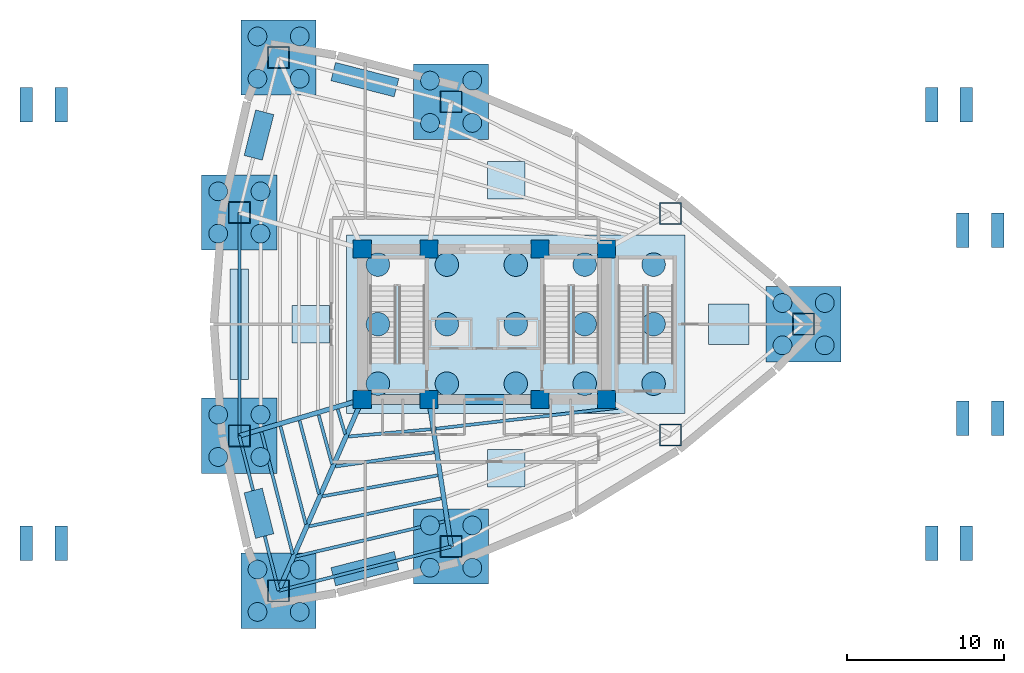
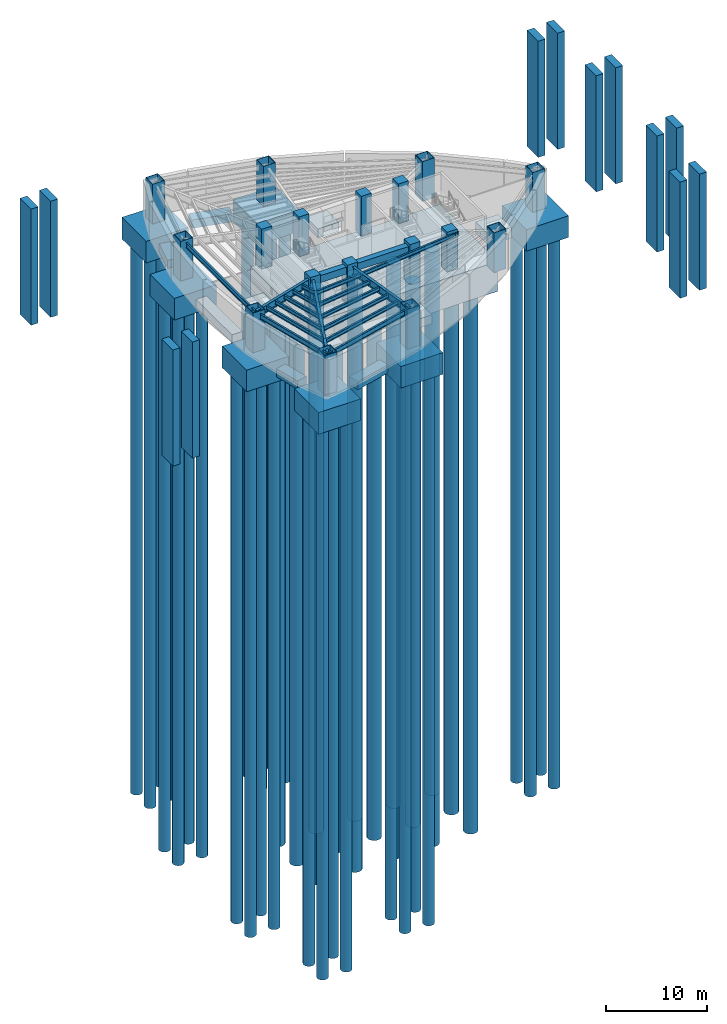
# One storey, part 1 of 7: 43 piles, 29 footings, 19 beams, 17 columns.
"""IFC4 building model written with IfcOpenShell, lengths in metres."""

from ifc_helpers import new_model, si_unit, direction, frame, origin, origin_2d, place, context, subcontext, project, spatial, polyline, rectangle, hollow_rectangle, circle, i_section, outline, extrude, material, layer, layer_set, material_profile, profile_set, type_object, element, save


model = new_model("IFC4")

# Units and contexts
model_context = context("Model", 3, precision=1e-05, world=origin(), true_north=direction((0.0, 1.0)))
body_context = subcontext(model_context, "Body", "Model", "MODEL_VIEW")
ifc_project = project(units=[si_unit("LENGTHUNIT", "METRE"), si_unit("AREAUNIT", "SQUARE_METRE"), si_unit("VOLUMEUNIT", "CUBIC_METRE"), si_unit("PLANEANGLEUNIT", "RADIAN"), si_unit("MASSUNIT", "GRAM", prefix="KILO")], contexts=[model_context])

# Site, building, storey
site_placement = place(None, origin())
site = spatial("IfcSite", under=ifc_project, at=site_placement, CompositionType="ELEMENT")
building_placement = place(site_placement, origin())
building = spatial("IfcBuilding", under=site, at=building_placement, Name="Menara Vayukalpa", CompositionType="ELEMENT")
storey_placement = place(building_placement, frame((0.0, 0.0, -9.60009765625)))
storey = spatial("IfcBuildingStorey", under=building, at=storey_placement, Name="B02", CompositionType="ELEMENT", Elevation=-9.60009765625)

# Footings
ifc_material_1 = material(Name="Concrete C40/50", Category="concrete")
ifc_layer_1 = layer(ifc_material_1, 1.300048828125)
ifc_layer_set_1 = layer_set([ifc_layer_1], Name="Concrete C40/50")
footing_type_1 = type_object("IfcFootingType", Name="FTG-PAD1", PredefinedType="PAD_FOOTING", material=ifc_layer_set_1)
footing_1_placement = place(storey_placement, frame((41.199951171875, 22.0, -1.75), z_axis=(0.0, 0.0, 1.0), x_axis=(1.0, 0.0, 0.0)))
element("IfcFooting", 1, at=footing_1_placement, inside=storey, type_object=footing_type_1, Name="Podium Pad Footing PF-01", PredefinedType="PAD_FOOTING", context=body_context, shape_type="SweptSolid", body=[
    extrude(rectangle(XDim=2.60009765625, YDim=2.60009765625, at=origin_2d()), origin(), (0.0, 0.0, 1.0), 1.300048828125),
])
ifc_material_2 = material(Name="Concrete C40/50", Category="concrete")
ifc_layer_2 = layer(ifc_material_2, 1.10009765625)
ifc_layer_set_2 = layer_set([ifc_layer_2], Name="Concrete C40/50")
footing_type_2 = type_object("IfcFootingType", Name="FTG-PAD2", PredefinedType="PAD_FOOTING", material=ifc_layer_set_2)
for number, where, z_axis, x_axis, name in (
    (2, (27.0, 31.199951171875, -1.550048828125), (0.0, 0.0, 1.0), (1.0, 0.0, 0.0), "Podium Pad Footing PF-02"),
    (3, (27.0, 12.800048828125, -1.550048828125), (0.0, 0.0, 1.0), (1.0, 0.0, 0.0), "Podium Pad Footing PF-03"),
    (4, (14.5, 22.0, -1.550048828125), (0.0, 0.0, 1.0), (1.0, 0.0, 0.0), "Podium Pad Footing PF-04"),
):
    element("IfcFooting", number, at=place(storey_placement, frame(where, z_axis=z_axis, x_axis=x_axis)), inside=storey, type_object=footing_type_2, Name=name, PredefinedType="PAD_FOOTING", context=body_context, shape_type="SweptSolid", body=[
        extrude(rectangle(XDim=2.39990234375, YDim=2.39990234375, at=origin_2d()), origin(), (0.0, 0.0, 1.0), 1.10009765625),
    ])
ifc_material_3 = material(Name="Concrete C50/60", Category="concrete")
ifc_layer_3 = layer(ifc_material_3, 3.60009765625)
ifc_layer_set_3 = layer_set([ifc_layer_3], Name="Concrete C50/60")
footing_type_3 = type_object("IfcFootingType", Name="FTG-PC-CORE", PredefinedType="PILE_CAP", material=ifc_layer_set_3)
footing_2_placement = place(storey_placement, frame((27.60009765625, 22.0, -4.050048828125), z_axis=(0.0, 0.0, 1.0), x_axis=(1.0, 0.0, 0.0)))
element("IfcFooting", 5, at=footing_2_placement, inside=storey, type_object=footing_type_3, Name="Central Core Piled Raft Cap PC1", PredefinedType="PILE_CAP", context=body_context, shape_type="SweptSolid", body=[
    extrude(rectangle(XDim=21.60009765625, YDim=11.39990234375, at=origin_2d()), origin(), (0.0, 0.0, 1.0), 3.60009765625),
])
ifc_material_4 = material(Name="Concrete C50/60", Category="concrete")
ifc_layer_4 = layer(ifc_material_4, 2.60009765625)
ifc_layer_set_4 = layer_set([ifc_layer_4], Name="Concrete C50/60")
footing_type_4 = type_object("IfcFootingType", Name="FTG-PC2", PredefinedType="PILE_CAP", material=ifc_layer_set_4)
for number, where, z_axis, x_axis, name in (
    (6, (45.979248046875, 22.0, -3.050048828125), (0.0, 0.0, 1.0), (1.0, 0.0, 0.0), "Mega Column Pile Cap PC2-01"),
    (7, (23.4755859375, 36.19970703125, -3.050048828125), (0.0, 0.0, 1.0), (1.0, 0.0, 0.0), "Mega Column Pile Cap PC2-03"),
    (8, (12.46044921875, 39.01904296875, -3.050048828125), (0.0, 0.0, 1.0), (1.0, 0.0, 0.0), "Mega Column Pile Cap PC2-04"),
    (9, (9.951904296875, 29.12890625, -3.050048828125), (0.0, 0.0, 1.0), (1.0, 0.0, 0.0), "Mega Column Pile Cap PC2-05"),
    (10, (9.951904296875, 14.87109375, -3.050048828125), (0.0, 0.0, 1.0), (1.0, 0.0, 0.0), "Mega Column Pile Cap PC2-06"),
    (11, (12.46044921875, 4.98095703125, -3.050048828125), (0.0, 0.0, 1.0), (1.0, 0.0, 0.0), "Mega Column Pile Cap PC2-07"),
    (12, (23.4755859375, 7.80029296875, -3.050048828125), (0.0, 0.0, 1.0), (1.0, 0.0, 0.0), "Mega Column Pile Cap PC2-08"),
):
    element("IfcFooting", number, at=place(storey_placement, frame(where, z_axis=z_axis, x_axis=x_axis)), inside=storey, type_object=footing_type_4, Name=name, PredefinedType="PILE_CAP", context=body_context, shape_type="SweptSolid", body=[
        extrude(rectangle(XDim=4.800048828125, YDim=4.800048828125, at=origin_2d()), origin(), (0.0, 0.0, 1.0), 2.60009765625),
    ])
ifc_material_5 = material(Name="Concrete C40/50", Category="concrete")
ifc_layer_5 = layer(ifc_material_5, 14.0)
ifc_layer_set_5 = layer_set([ifc_layer_5], Name="Concrete C40/50")
footing_type_5 = type_object("IfcFootingType", Name="FTG-RMP1", PredefinedType="PAD_FOOTING", material=ifc_layer_set_5)
for number, where, z_axis, x_axis, name in (
    (13, (-3.64990234375, 8.0, -4.579833984375), (0.0, 0.0, 1.0), (1.0, 0.0, 0.0), "Plaza Ramp Abutment Pier Footing 01A"),
    (14, (-1.429931640625, 8.0, -4.39990234375), (0.0, 0.0, 1.0), (1.0, 0.0, 0.0), "Plaza Ramp Abutment Pier Footing 01B"),
    (15, (-3.64990234375, 36.0, -4.579833984375), (0.0, 0.0, 1.0), (1.0, 0.0, 0.0), "Plaza Ramp Abutment Pier Footing 02A"),
    (16, (-1.429931640625, 36.0, -4.39990234375), (0.0, 0.0, 1.0), (1.0, 0.0, 0.0), "Plaza Ramp Abutment Pier Footing 02B"),
    (17, (54.14990234375, 8.0, -4.579833984375), (0.0, 0.0, 1.0), (1.0, 0.0, 0.0), "Plaza Ramp Abutment Pier Footing 03A"),
    (18, (56.3701171875, 8.0, -4.39990234375), (0.0, 0.0, 1.0), (1.0, 0.0, 0.0), "Plaza Ramp Abutment Pier Footing 03B"),
    (19, (54.14990234375, 36.0, -4.579833984375), (0.0, 0.0, 1.0), (1.0, 0.0, 0.0), "Plaza Ramp Abutment Pier Footing 04A"),
    (20, (56.3701171875, 36.0, -4.39990234375), (0.0, 0.0, 1.0), (1.0, 0.0, 0.0), "Plaza Ramp Abutment Pier Footing 04B"),
    (21, (56.14990234375, 16.0, -4.579833984375), (0.0, 0.0, 1.0), (1.0, 0.0, 0.0), "Plaza Ramp Abutment Pier Footing 05A"),
    (22, (58.3701171875, 16.0, -4.39990234375), (0.0, 0.0, 1.0), (1.0, 0.0, 0.0), "Plaza Ramp Abutment Pier Footing 05B"),
    (23, (56.14990234375, 28.0, -4.579833984375), (0.0, 0.0, 1.0), (1.0, 0.0, 0.0), "Plaza Ramp Abutment Pier Footing 06A"),
    (24, (58.3701171875, 28.0, -4.39990234375), (0.0, 0.0, 1.0), (1.0, 0.0, 0.0), "Plaza Ramp Abutment Pier Footing 06B"),
):
    element("IfcFooting", number, at=place(storey_placement, frame(where, z_axis=z_axis, x_axis=x_axis)), inside=storey, type_object=footing_type_5, Name=name, PredefinedType="PAD_FOOTING", context=body_context, shape_type="SweptSolid", body=[
        extrude(rectangle(XDim=0.800048828125, YDim=2.199951171875, at=origin_2d()), origin(), (0.0, 0.0, 1.0), 14.0),
    ])
ifc_material_6 = material(Name="Concrete C40/50", Category="concrete")
ifc_layer_6 = layer(ifc_material_6, 1.0)
ifc_layer_set_6 = layer_set([ifc_layer_6], Name="Concrete C40/50")
footing_type_6 = type_object("IfcFootingType", Name="FTG-SF1", PredefinedType="STRIP_FOOTING", material=ifc_layer_set_6)
footing_3_placement = place(storey_placement, frame((0.0, 0.0, -1.449951171875)))
element("IfcFooting", 25, at=footing_3_placement, inside=storey, type_object=footing_type_6, Name="Perimeter Tie Strip Footing SF-02", PredefinedType="STRIP_FOOTING", context=body_context, shape_type="SweptSolid", body=[
    extrude(outline(polyline([(19.839111328125, 36.510986328125), (15.79931640625, 37.545166015625), (16.0966796875, 38.707763671875), (20.13671875, 37.673583984375), (19.839111328125, 36.510986328125)])), origin(), (0.0, 0.0, 1.0), 1.0),
])
footing_4_placement = place(storey_placement, frame((0.0, 0.0, -1.449951171875)))
element("IfcFooting", 26, at=footing_4_placement, inside=storey, type_object=footing_type_6, Name="Perimeter Tie Strip Footing SF-03", PredefinedType="STRIP_FOOTING", context=body_context, shape_type="SweptSolid", body=[
    extrude(outline(polyline([(12.156982421875, 35.382080078125), (11.418701171875, 32.470947265625), (10.25537109375, 32.765869140625), (10.993896484375, 35.677001953125), (12.156982421875, 35.382080078125)])), origin(), (0.0, 0.0, 1.0), 1.0),
])
footing_5_placement = place(storey_placement, frame((0.0, 0.0, -1.449951171875)))
element("IfcFooting", 27, at=footing_5_placement, inside=storey, type_object=footing_type_6, Name="Perimeter Tie Strip Footing SF-04", PredefinedType="STRIP_FOOTING", context=body_context, shape_type="SweptSolid", body=[
    extrude(outline(polyline([(10.552001953125, 25.52880859375), (10.552001953125, 18.47119140625), (9.35205078125, 18.47119140625), (9.35205078125, 25.52880859375), (10.552001953125, 25.52880859375)])), origin(), (0.0, 0.0, 1.0), 1.0),
])
footing_6_placement = place(storey_placement, frame((0.0, 0.0, -1.449951171875)))
element("IfcFooting", 28, at=footing_6_placement, inside=storey, type_object=footing_type_6, Name="Perimeter Tie Strip Footing SF-05", PredefinedType="STRIP_FOOTING", context=body_context, shape_type="SweptSolid", body=[
    extrude(outline(polyline([(11.418701171875, 11.529052734375), (12.156982421875, 8.617919921875), (10.993896484375, 8.322998046875), (10.25537109375, 11.234130859375), (11.418701171875, 11.529052734375)])), origin(), (0.0, 0.0, 1.0), 1.0),
])
footing_7_placement = place(storey_placement, frame((0.0, 0.0, -1.449951171875)))
element("IfcFooting", 29, at=footing_7_placement, inside=storey, type_object=footing_type_6, Name="Perimeter Tie Strip Footing SF-06", PredefinedType="STRIP_FOOTING", context=body_context, shape_type="SweptSolid", body=[
    extrude(outline(polyline([(15.79931640625, 6.454833984375), (19.839111328125, 7.489013671875), (20.13671875, 6.326416015625), (16.0966796875, 5.292236328125), (15.79931640625, 6.454833984375)])), origin(), (0.0, 0.0, 1.0), 1.0),
])

# Piles
ifc_material_7 = material(Name="Concrete C50/60", Category="concrete")
ifc_material_profile_1 = material_profile(ifc_material_7, circle(Radius=0.75, at=origin_2d()), Name="PILE D1500")
ifc_profile_set_1 = profile_set([ifc_material_profile_1], Name="Concrete C50/60")
pile_type_1 = type_object("IfcPileType", Name="PILE-P1", PredefinedType="BORED", material=ifc_profile_set_1)
for number, where, z_axis, x_axis, name in (
    (30, (18.800048828125, 18.199951171875, -3.89990234375), (0.0, 0.0, -1.0), (1.0, 0.0, 0.0), "Core Bored Pile P1-01"),
    (31, (18.800048828125, 22.0, -3.89990234375), (0.0, 0.0, -1.0), (1.0, 0.0, 0.0), "Core Bored Pile P1-02"),
    (32, (18.800048828125, 25.800048828125, -3.89990234375), (0.0, 0.0, -1.0), (1.0, 0.0, 0.0), "Core Bored Pile P1-03"),
    (33, (23.199951171875, 18.199951171875, -3.89990234375), (0.0, 0.0, -1.0), (1.0, 0.0, 0.0), "Core Bored Pile P1-04"),
    (34, (23.199951171875, 22.0, -3.89990234375), (0.0, 0.0, -1.0), (1.0, 0.0, 0.0), "Core Bored Pile P1-05"),
    (35, (23.199951171875, 25.800048828125, -3.89990234375), (0.0, 0.0, -1.0), (1.0, 0.0, 0.0), "Core Bored Pile P1-06"),
    (36, (27.60009765625, 18.199951171875, -3.89990234375), (0.0, 0.0, -1.0), (1.0, 0.0, 0.0), "Core Bored Pile P1-07"),
    (37, (27.60009765625, 22.0, -3.89990234375), (0.0, 0.0, -1.0), (1.0, 0.0, 0.0), "Core Bored Pile P1-08"),
    (38, (27.60009765625, 25.800048828125, -3.89990234375), (0.0, 0.0, -1.0), (1.0, 0.0, 0.0), "Core Bored Pile P1-09"),
    (39, (32.0, 18.199951171875, -3.89990234375), (0.0, 0.0, -1.0), (1.0, 0.0, 0.0), "Core Bored Pile P1-10"),
    (40, (32.0, 22.0, -3.89990234375), (0.0, 0.0, -1.0), (1.0, 0.0, 0.0), "Core Bored Pile P1-11"),
    (41, (32.0, 25.800048828125, -3.89990234375), (0.0, 0.0, -1.0), (1.0, 0.0, 0.0), "Core Bored Pile P1-12"),
    (42, (36.39990234375, 18.199951171875, -3.89990234375), (0.0, 0.0, -1.0), (1.0, 0.0, 0.0), "Core Bored Pile P1-13"),
    (43, (36.39990234375, 22.0, -3.89990234375), (0.0, 0.0, -1.0), (1.0, 0.0, 0.0), "Core Bored Pile P1-14"),
    (44, (36.39990234375, 25.800048828125, -3.89990234375), (0.0, 0.0, -1.0), (1.0, 0.0, 0.0), "Core Bored Pile P1-15"),
):
    element("IfcPile", number, at=place(storey_placement, frame(where, z_axis=z_axis, x_axis=x_axis)), inside=storey, type_object=pile_type_1, Name=name, PredefinedType="BORED", context=body_context, shape_type="SweptSolid", body=[
        extrude(circle(Radius=0.75, at=origin_2d()), origin(), (0.0, 0.0, 1.0), 65.5),
    ])
ifc_material_8 = material(Name="Concrete C50/60", Category="concrete")
ifc_material_profile_2 = material_profile(ifc_material_8, circle(Radius=0.60009765625, at=origin_2d()), Name="PILE D1200")
ifc_profile_set_2 = profile_set([ifc_material_profile_2], Name="Concrete C50/60")
pile_type_2 = type_object("IfcPileType", Name="PILE-P2", PredefinedType="BORED", material=ifc_profile_set_2)
for number, where, z_axis, x_axis, name in (
    (45, (44.629150390625, 20.64990234375, -2.89990234375), (0.0, 0.0, -1.0), (1.0, 0.0, 0.0), "Perimeter Bored Pile P2-16"),
    (46, (44.629150390625, 23.35009765625, -2.89990234375), (0.0, 0.0, -1.0), (1.0, 0.0, 0.0), "Perimeter Bored Pile P2-17"),
    (47, (47.3291015625, 20.64990234375, -2.89990234375), (0.0, 0.0, -1.0), (1.0, 0.0, 0.0), "Perimeter Bored Pile P2-18"),
    (48, (47.3291015625, 23.35009765625, -2.89990234375), (0.0, 0.0, -1.0), (1.0, 0.0, 0.0), "Perimeter Bored Pile P2-19"),
    (49, (22.12548828125, 34.849853515625, -2.89990234375), (0.0, 0.0, -1.0), (1.0, 0.0, 0.0), "Perimeter Bored Pile P2-20"),
    (50, (22.12548828125, 37.5498046875, -2.89990234375), (0.0, 0.0, -1.0), (1.0, 0.0, 0.0), "Perimeter Bored Pile P2-21"),
    (51, (24.82568359375, 34.849853515625, -2.89990234375), (0.0, 0.0, -1.0), (1.0, 0.0, 0.0), "Perimeter Bored Pile P2-22"),
    (52, (24.82568359375, 37.5498046875, -2.89990234375), (0.0, 0.0, -1.0), (1.0, 0.0, 0.0), "Perimeter Bored Pile P2-23"),
    (53, (11.1103515625, 37.6689453125, -2.89990234375), (0.0, 0.0, -1.0), (1.0, 0.0, 0.0), "Perimeter Bored Pile P2-24"),
    (54, (11.1103515625, 40.368896484375, -2.89990234375), (0.0, 0.0, -1.0), (1.0, 0.0, 0.0), "Perimeter Bored Pile P2-25"),
    (55, (13.810302734375, 37.6689453125, -2.89990234375), (0.0, 0.0, -1.0), (1.0, 0.0, 0.0), "Perimeter Bored Pile P2-26"),
    (56, (13.810302734375, 40.368896484375, -2.89990234375), (0.0, 0.0, -1.0), (1.0, 0.0, 0.0), "Perimeter Bored Pile P2-27"),
    (57, (8.60205078125, 27.77880859375, -2.89990234375), (0.0, 0.0, -1.0), (1.0, 0.0, 0.0), "Perimeter Bored Pile P2-28"),
    (58, (8.60205078125, 30.47900390625, -2.89990234375), (0.0, 0.0, -1.0), (1.0, 0.0, 0.0), "Perimeter Bored Pile P2-29"),
    (59, (11.302001953125, 27.77880859375, -2.89990234375), (0.0, 0.0, -1.0), (1.0, 0.0, 0.0), "Perimeter Bored Pile P2-30"),
    (60, (11.302001953125, 30.47900390625, -2.89990234375), (0.0, 0.0, -1.0), (1.0, 0.0, 0.0), "Perimeter Bored Pile P2-31"),
    (61, (8.60205078125, 13.52099609375, -2.89990234375), (0.0, 0.0, -1.0), (1.0, 0.0, 0.0), "Perimeter Bored Pile P2-32"),
    (62, (8.60205078125, 16.22119140625, -2.89990234375), (0.0, 0.0, -1.0), (1.0, 0.0, 0.0), "Perimeter Bored Pile P2-33"),
    (63, (11.302001953125, 13.52099609375, -2.89990234375), (0.0, 0.0, -1.0), (1.0, 0.0, 0.0), "Perimeter Bored Pile P2-34"),
    (64, (11.302001953125, 16.22119140625, -2.89990234375), (0.0, 0.0, -1.0), (1.0, 0.0, 0.0), "Perimeter Bored Pile P2-35"),
    (65, (11.1103515625, 3.631103515625, -2.89990234375), (0.0, 0.0, -1.0), (1.0, 0.0, 0.0), "Perimeter Bored Pile P2-36"),
    (66, (11.1103515625, 6.3310546875, -2.89990234375), (0.0, 0.0, -1.0), (1.0, 0.0, 0.0), "Perimeter Bored Pile P2-37"),
    (67, (13.810302734375, 3.631103515625, -2.89990234375), (0.0, 0.0, -1.0), (1.0, 0.0, 0.0), "Perimeter Bored Pile P2-38"),
    (68, (13.810302734375, 6.3310546875, -2.89990234375), (0.0, 0.0, -1.0), (1.0, 0.0, 0.0), "Perimeter Bored Pile P2-39"),
    (69, (22.12548828125, 6.4501953125, -2.89990234375), (0.0, 0.0, -1.0), (1.0, 0.0, 0.0), "Perimeter Bored Pile P2-40"),
    (70, (22.12548828125, 9.150146484375, -2.89990234375), (0.0, 0.0, -1.0), (1.0, 0.0, 0.0), "Perimeter Bored Pile P2-41"),
    (71, (24.82568359375, 6.4501953125, -2.89990234375), (0.0, 0.0, -1.0), (1.0, 0.0, 0.0), "Perimeter Bored Pile P2-42"),
    (72, (24.82568359375, 9.150146484375, -2.89990234375), (0.0, 0.0, -1.0), (1.0, 0.0, 0.0), "Perimeter Bored Pile P2-43"),
):
    element("IfcPile", number, at=place(storey_placement, frame(where, z_axis=z_axis, x_axis=x_axis)), inside=storey, type_object=pile_type_2, Name=name, PredefinedType="BORED", context=body_context, shape_type="SweptSolid", body=[
        extrude(circle(Radius=0.60009765625, at=origin_2d()), origin(), (0.0, 0.0, 1.0), 66.5),
    ])

# Columns
ifc_material_9 = material(Name="Concrete C80/95", Category="concrete")
ifc_material_profile_3 = material_profile(ifc_material_9, rectangle(XDim=1.14990234375, YDim=1.14990234375, at=origin_2d()), Name="RC 1150x1150")
ifc_profile_set_3 = profile_set([ifc_material_profile_3], Name="Concrete C80/95")
column_type_1 = type_object("IfcColumnType", Name="COL-CC1", PredefinedType="COLUMN", material=ifc_profile_set_3)
for number, where, z_axis, x_axis, name in (
    (73, (17.800048828125, 17.199951171875, 0.0), (0.0, 0.0, 1.0), (1.0, 0.0, 0.0), "B02 Core Pilaster Column CC1"),
    (74, (22.050048828125, 17.199951171875, 0.0), (0.0, 0.0, 1.0), (1.0, 0.0, 0.0), "B02 Core Pilaster Column CC2"),
    (75, (29.14990234375, 17.199951171875, 0.0), (0.0, 0.0, 1.0), (1.0, 0.0, 0.0), "B02 Core Pilaster Column CC3"),
    (76, (33.39990234375, 17.199951171875, 0.0), (0.0, 0.0, 1.0), (1.0, 0.0, 0.0), "B02 Core Pilaster Column CC4"),
    (77, (17.800048828125, 26.800048828125, 0.0), (0.0, 0.0, 1.0), (1.0, 0.0, 0.0), "B02 Core Pilaster Column CC5"),
    (78, (22.050048828125, 26.800048828125, 0.0), (0.0, 0.0, 1.0), (1.0, 0.0, 0.0), "B02 Core Pilaster Column CC6"),
    (79, (29.14990234375, 26.800048828125, 0.0), (0.0, 0.0, 1.0), (1.0, 0.0, 0.0), "B02 Core Pilaster Column CC7"),
    (80, (33.39990234375, 26.800048828125, 0.0), (0.0, 0.0, 1.0), (1.0, 0.0, 0.0), "B02 Core Pilaster Column CC8"),
):
    element("IfcColumn", number, at=place(storey_placement, frame(where, z_axis=z_axis, x_axis=x_axis)), inside=storey, type_object=column_type_1, Name=name, PredefinedType="COLUMN", context=body_context, shape_type="SweptSolid", body=[
        extrude(rectangle(XDim=1.14990234375, YDim=1.14990234375, at=origin_2d()), origin(), (0.0, 0.0, 1.0), 4.800048828125),
    ])
ifc_material_10 = material(Name="Steel S460", Category="steel")
ifc_material_profile_4 = material_profile(ifc_material_10, hollow_rectangle(XDim=1.39990234375, YDim=1.39990234375, WallThickness=0.054931640625, at=origin_2d()), Name="BOX 1400x1400x55")
ifc_profile_set_4 = profile_set([ifc_material_profile_4], Name="Steel S460")
column_type_2 = type_object("IfcColumnType", Name="COL-MC1", PredefinedType="COLUMN", material=ifc_profile_set_4)
for number, where, z_axis, x_axis, name in (
    (81, (45.979248046875, 22.0, 0.0), (0.0, 0.0, 1.0), (1.0, 0.0, 0.0), "B02 Perimeter Mega Column P01"),
    (82, (37.47412109375, 29.07080078125, 0.0), (0.0, 0.0, 1.0), (1.0, 0.0, 0.0), "B02 Perimeter Mega Column P02"),
    (83, (23.4755859375, 36.19970703125, 0.0), (0.0, 0.0, 1.0), (1.0, 0.0, 0.0), "B02 Perimeter Mega Column P03"),
    (84, (12.46044921875, 39.01904296875, 0.0), (0.0, 0.0, 1.0), (1.0, 0.0, 0.0), "B02 Perimeter Mega Column P04"),
    (85, (9.951904296875, 29.12890625, 0.0), (0.0, 0.0, 1.0), (1.0, 0.0, 0.0), "B02 Perimeter Mega Column P05"),
    (86, (9.951904296875, 14.87109375, 0.0), (0.0, 0.0, 1.0), (1.0, 0.0, 0.0), "B02 Perimeter Mega Column P06"),
    (87, (12.46044921875, 4.98095703125, 0.0), (0.0, 0.0, 1.0), (1.0, 0.0, 0.0), "B02 Perimeter Mega Column P07"),
    (88, (23.4755859375, 7.80029296875, 0.0), (0.0, 0.0, 1.0), (1.0, 0.0, 0.0), "B02 Perimeter Mega Column P08"),
    (89, (37.47412109375, 14.92919921875, 0.0), (0.0, 0.0, 1.0), (1.0, 0.0, 0.0), "B02 Perimeter Mega Column P09"),
):
    element("IfcColumn", number, at=place(storey_placement, frame(where, z_axis=z_axis, x_axis=x_axis)), inside=storey, type_object=column_type_2, Name=name, PredefinedType="COLUMN", context=body_context, shape_type="SweptSolid", body=[
        extrude(hollow_rectangle(XDim=1.39990234375, YDim=1.39990234375, WallThickness=0.054931640625, at=origin_2d()), origin(), (0.0, 0.0, 1.0), 4.800048828125),
    ])

# Beams
ifc_material_11 = material(Name="Concrete C60/75", Category="concrete")
ifc_material_profile_5 = material_profile(ifc_material_11, rectangle(XDim=0.64990234375, YDim=0.85009765625, at=origin_2d()), Name="RC 650x850")
ifc_profile_set_5 = profile_set([ifc_material_profile_5], Name="Concrete C60/75")
beam_type_1 = type_object("IfcBeamType", Name="BM-CB1", PredefinedType="BEAM", material=ifc_profile_set_5)
beam_1_placement = place(storey_placement, frame((17.800048828125, 17.199951171875, 4.01513671875), z_axis=(1.0, 0.0, 0.0), x_axis=(0.0, 1.0, 0.0)))
element("IfcBeam", 90, at=beam_1_placement, inside=storey, type_object=beam_type_1, Name="B02 Core Tie Beam CBR1", PredefinedType="BEAM", context=body_context, shape_type="SweptSolid", body=[
    extrude(rectangle(XDim=0.64990234375, YDim=0.85009765625, at=origin_2d()), origin(), (0.0, 0.0, 1.0), 4.25),
])
beam_2_placement = place(storey_placement, frame((22.050048828125, 17.199951171875, 4.01513671875), z_axis=(1.0, 0.0, 0.0), x_axis=(0.0, 1.0, 0.0)))
element("IfcBeam", 91, at=beam_2_placement, inside=storey, type_object=beam_type_1, Name="B02 Core Tie Beam CBR2", PredefinedType="BEAM", context=body_context, shape_type="SweptSolid", body=[
    extrude(rectangle(XDim=0.64990234375, YDim=0.85009765625, at=origin_2d()), origin(), (0.0, 0.0, 1.0), 7.099853515625),
])
ifc_material_12 = material(Name="Steel S355", Category="steel")
ifc_material_profile_6 = material_profile(ifc_material_12, i_section(OverallWidth=0.300048828125, OverallDepth=0.89990234375, WebThickness=0.01611328125, FlangeThickness=0.028076171875, at=origin_2d()), Name="WF 900x300x16x28")
ifc_profile_set_6 = profile_set([ifc_material_profile_6], Name="Steel S355")
beam_type_2 = type_object("IfcBeamType", Name="BM-PG1", PredefinedType="BEAM", material=ifc_profile_set_6)
beam_3_placement = place(storey_placement, frame((17.560302734375, 17.12890625, 3.989990234375), z_axis=(-0.958678858065, -0.284490504409, 0.0), x_axis=(0.284490504409, -0.958678858065, 0.0)))
element("IfcBeam", 92, at=beam_3_placement, inside=storey, type_object=beam_type_2, Name="B02 Primary Radial Girder RG06", PredefinedType="BEAM", context=body_context, shape_type="SweptSolid", body=[
    extrude(i_section(OverallWidth=0.300048828125, OverallDepth=0.89990234375, WebThickness=0.01611328125, FlangeThickness=0.028076171875, at=origin_2d()), origin(), (0.0, 0.0, 1.0), 7.936279296875),
])
beam_4_placement = place(storey_placement, frame((17.699951171875, 16.970947265625, 3.989990234375), z_axis=(-0.400426299501, -0.916328968585, 0.0), x_axis=(0.916328968585, -0.400426299501, 0.0)))
element("IfcBeam", 93, at=beam_4_placement, inside=storey, type_object=beam_type_2, Name="B02 Primary Radial Girder RG07", PredefinedType="BEAM", context=body_context, shape_type="SweptSolid", body=[
    extrude(i_section(OverallWidth=0.300048828125, OverallDepth=0.89990234375, WebThickness=0.01611328125, FlangeThickness=0.028076171875, at=origin_2d()), origin(), (0.0, 0.0, 1.0), 13.084716796875),
])
beam_5_placement = place(storey_placement, frame((22.08740234375, 16.952880859375, 3.989990234375), z_axis=(0.149956157605, -0.988692647285, 0.0), x_axis=(0.988692647285, 0.149956157605, 0.0)))
element("IfcBeam", 94, at=beam_5_placement, inside=storey, type_object=beam_type_2, Name="B02 Primary Radial Girder RG08", PredefinedType="BEAM", context=body_context, shape_type="SweptSolid", body=[
    extrude(i_section(OverallWidth=0.300048828125, OverallDepth=0.89990234375, WebThickness=0.01611328125, FlangeThickness=0.028076171875, at=origin_2d()), origin(), (0.0, 0.0, 1.0), 9.25732421875),
])
ifc_material_13 = material(Name="Steel S355", Category="steel")
ifc_material_profile_7 = material_profile(ifc_material_13, i_section(OverallWidth=0.199951171875, OverallDepth=0.449951171875, WebThickness=0.009033203125, FlangeThickness=0.013916015625, at=origin_2d()), Name="WF 450x200x9x14")
ifc_profile_set_7 = profile_set([ifc_material_profile_7], Name="Steel S355")
beam_type_3 = type_object("IfcBeamType", Name="BM-SJ1", PredefinedType="JOIST", material=ifc_profile_set_7)
beam_6_placement = place(storey_placement, frame((16.239013671875, 16.5595703125, 4.215087890625), z_axis=(0.284173863657, -0.958772765161, 0.0), x_axis=(0.958772765161, 0.284173863657, 0.0)))
element("IfcBeam", 95, at=beam_6_placement, inside=storey, type_object=beam_type_3, Name="B02 Secondary Floor Joist SJ06-1", PredefinedType="JOIST", context=body_context, shape_type="SweptSolid", body=[
    extrude(i_section(OverallWidth=0.199951171875, OverallDepth=0.449951171875, WebThickness=0.009033203125, FlangeThickness=0.013916015625, at=origin_2d()), origin(), (0.0, 0.0, 1.0), 1.652099609375),
])
beam_7_placement = place(storey_placement, frame((15.018310546875, 16.197265625, 4.215087890625), z_axis=(0.262945960317, -0.964810562729, 0.0), x_axis=(0.964810562729, 0.262945960317, 0.0)))
element("IfcBeam", 96, at=beam_7_placement, inside=storey, type_object=beam_type_3, Name="B02 Secondary Floor Joist SJ06-2", PredefinedType="JOIST", context=body_context, shape_type="SweptSolid", body=[
    extrude(i_section(OverallWidth=0.199951171875, OverallDepth=0.449951171875, WebThickness=0.009033203125, FlangeThickness=0.013916015625, at=origin_2d()), origin(), (0.0, 0.0, 1.0), 3.25341796875),
])
beam_8_placement = place(storey_placement, frame((13.799560546875, 15.835693359375, 4.215087890625), z_axis=(0.254819975699, -0.966988510782, 0.0), x_axis=(0.966988510782, 0.254819975699, 0.0)))
element("IfcBeam", 97, at=beam_8_placement, inside=storey, type_object=beam_type_3, Name="B02 Secondary Floor Joist SJ06-3", PredefinedType="JOIST", context=body_context, shape_type="SweptSolid", body=[
    extrude(i_section(OverallWidth=0.199951171875, OverallDepth=0.449951171875, WebThickness=0.009033203125, FlangeThickness=0.013916015625, at=origin_2d()), origin(), (0.0, 0.0, 1.0), 4.855712890625),
])
beam_9_placement = place(storey_placement, frame((12.581298828125, 15.47412109375, 4.215087890625), z_axis=(0.250533111623, -0.968108031152, 0.0), x_axis=(0.968108031152, 0.250533111623, 0.0)))
element("IfcBeam", 98, at=beam_9_placement, inside=storey, type_object=beam_type_3, Name="B02 Secondary Floor Joist SJ06-4", PredefinedType="JOIST", context=body_context, shape_type="SweptSolid", body=[
    extrude(i_section(OverallWidth=0.199951171875, OverallDepth=0.449951171875, WebThickness=0.009033203125, FlangeThickness=0.013916015625, at=origin_2d()), origin(), (0.0, 0.0, 1.0), 6.4580078125),
])
beam_10_placement = place(storey_placement, frame((11.363525390625, 15.11279296875, 4.215087890625), z_axis=(0.247855728428, -0.9687969539, 0.0), x_axis=(0.9687969539, 0.247855728428, 0.0)))
element("IfcBeam", 99, at=beam_10_placement, inside=storey, type_object=beam_type_3, Name="B02 Secondary Floor Joist SJ06-5", PredefinedType="JOIST", context=body_context, shape_type="SweptSolid", body=[
    extrude(i_section(OverallWidth=0.199951171875, OverallDepth=0.449951171875, WebThickness=0.009033203125, FlangeThickness=0.013916015625, at=origin_2d()), origin(), (0.0, 0.0, 1.0), 8.060302734375),
])
beam_11_placement = place(storey_placement, frame((16.926025390625, 14.82763671875, 4.215087890625), z_axis=(0.996127818773, 0.08791682812, 0.0), x_axis=(-0.08791682812, 0.996127818773, 0.0)))
element("IfcBeam", 100, at=beam_11_placement, inside=storey, type_object=beam_type_3, Name="B02 Secondary Floor Joist SJ07-1", PredefinedType="JOIST", context=body_context, shape_type="SweptSolid", body=[
    extrude(i_section(OverallWidth=0.199951171875, OverallDepth=0.449951171875, WebThickness=0.009033203125, FlangeThickness=0.013916015625, at=origin_2d()), origin(), (0.0, 0.0, 1.0), 5.26220703125),
])
beam_12_placement = place(storey_placement, frame((16.0869140625, 12.918212890625, 4.215087890625), z_axis=(0.989991622628, 0.141126139063, 0.0), x_axis=(-0.141126139063, 0.989991622628, 0.0)))
element("IfcBeam", 101, at=beam_12_placement, inside=storey, type_object=beam_type_3, Name="B02 Secondary Floor Joist SJ07-2", PredefinedType="JOIST", context=body_context, shape_type="SweptSolid", body=[
    extrude(i_section(OverallWidth=0.199951171875, OverallDepth=0.449951171875, WebThickness=0.009033203125, FlangeThickness=0.013916015625, at=origin_2d()), origin(), (0.0, 0.0, 1.0), 6.367919921875),
])
beam_13_placement = place(storey_placement, frame((15.247314453125, 11.00634765625, 4.215087890625), z_axis=(0.98386051846, 0.178937084517, 0.0), x_axis=(-0.178937084517, 0.98386051846, 0.0)))
element("IfcBeam", 102, at=beam_13_placement, inside=storey, type_object=beam_type_3, Name="B02 Secondary Floor Joist SJ07-3", PredefinedType="JOIST", context=body_context, shape_type="SweptSolid", body=[
    extrude(i_section(OverallWidth=0.199951171875, OverallDepth=0.449951171875, WebThickness=0.009033203125, FlangeThickness=0.013916015625, at=origin_2d()), origin(), (0.0, 0.0, 1.0), 7.48779296875),
])
beam_14_placement = place(storey_placement, frame((14.408203125, 9.0927734375, 4.215087890625), z_axis=(0.978324318859, 0.207078553039, 0.0), x_axis=(-0.207078553039, 0.978324318859, 0.0)))
element("IfcBeam", 103, at=beam_14_placement, inside=storey, type_object=beam_type_3, Name="B02 Secondary Floor Joist SJ07-4", PredefinedType="JOIST", context=body_context, shape_type="SweptSolid", body=[
    extrude(i_section(OverallWidth=0.199951171875, OverallDepth=0.449951171875, WebThickness=0.009033203125, FlangeThickness=0.013916015625, at=origin_2d()), origin(), (0.0, 0.0, 1.0), 8.615966796875),
])
beam_15_placement = place(storey_placement, frame((13.569091796875, 7.177978515625, 4.215087890625), z_axis=(0.973474607698, 0.228795078983, 0.0), x_axis=(-0.228795078983, 0.973474607698, 0.0)))
element("IfcBeam", 104, at=beam_15_placement, inside=storey, type_object=beam_type_3, Name="B02 Secondary Floor Joist SJ07-5", PredefinedType="JOIST", context=body_context, shape_type="SweptSolid", body=[
    extrude(i_section(OverallWidth=0.199951171875, OverallDepth=0.449951171875, WebThickness=0.009033203125, FlangeThickness=0.013916015625, at=origin_2d()), origin(), (0.0, 0.0, 1.0), 9.749755859375),
])
beam_16_placement = place(storey_placement, frame((22.506103515625, 15.324951171875, 4.215087890625), z_axis=(0.993368624996, 0.114972931045, 0.0), x_axis=(-0.114972931045, 0.993368624996, 0.0)))
element("IfcBeam", 105, at=beam_16_placement, inside=storey, type_object=beam_type_3, Name="B02 Secondary Floor Joist SJ08-1", PredefinedType="JOIST", context=body_context, shape_type="SweptSolid", body=[
    extrude(i_section(OverallWidth=0.199951171875, OverallDepth=0.449951171875, WebThickness=0.009033203125, FlangeThickness=0.013916015625, at=origin_2d()), origin(), (0.0, 0.0, 1.0), 11.715087890625),
])
ifc_material_14 = material(Name="Steel S355", Category="steel")
ifc_material_profile_8 = material_profile(ifc_material_14, i_section(OverallWidth=0.199951171875, OverallDepth=0.60009765625, WebThickness=0.010986328125, FlangeThickness=0.01708984375, at=origin_2d()), Name="WF 600x200x11x17")
ifc_profile_set_8 = profile_set([ifc_material_profile_8], Name="Steel S355")
beam_type_4 = type_object("IfcBeamType", Name="BM-SP1", PredefinedType="SPANDREL", material=ifc_profile_set_8)
beam_17_placement = place(storey_placement, frame((9.951904296875, 29.12890625, 4.14013671875), z_axis=(0.0, -1.0, 0.0), x_axis=(1.0, 0.0, 0.0)))
element("IfcBeam", 106, at=beam_17_placement, inside=storey, type_object=beam_type_4, Name="B02 Perimeter Spandrel Beam SP05", PredefinedType="SPANDREL", context=body_context, shape_type="SweptSolid", body=[
    extrude(i_section(OverallWidth=0.199951171875, OverallDepth=0.60009765625, WebThickness=0.010986328125, FlangeThickness=0.01708984375, at=origin_2d()), origin(), (0.0, 0.0, 1.0), 14.2578125),
])
beam_18_placement = place(storey_placement, frame((9.951904296875, 14.87109375, 4.14013671875), z_axis=(0.24585591488, -0.969306385576, 0.0), x_axis=(0.969306385576, 0.24585591488, 0.0)))
element("IfcBeam", 107, at=beam_18_placement, inside=storey, type_object=beam_type_4, Name="B02 Perimeter Spandrel Beam SP06", PredefinedType="SPANDREL", context=body_context, shape_type="SweptSolid", body=[
    extrude(i_section(OverallWidth=0.199951171875, OverallDepth=0.60009765625, WebThickness=0.010986328125, FlangeThickness=0.01708984375, at=origin_2d()), origin(), (0.0, 0.0, 1.0), 10.203369140625),
])
beam_19_placement = place(storey_placement, frame((12.46044921875, 4.98095703125, 4.14013671875), z_axis=(0.968770804637, 0.247957915953, 0.0), x_axis=(-0.247957915953, 0.968770804637, 0.0)))
element("IfcBeam", 108, at=beam_19_placement, inside=storey, type_object=beam_type_4, Name="B02 Perimeter Spandrel Beam SP07", PredefinedType="SPANDREL", context=body_context, shape_type="SweptSolid", body=[
    extrude(i_section(OverallWidth=0.199951171875, OverallDepth=0.60009765625, WebThickness=0.010986328125, FlangeThickness=0.01708984375, at=origin_2d()), origin(), (0.0, 0.0, 1.0), 11.3701171875),
])

save(model, "model.ifc")
